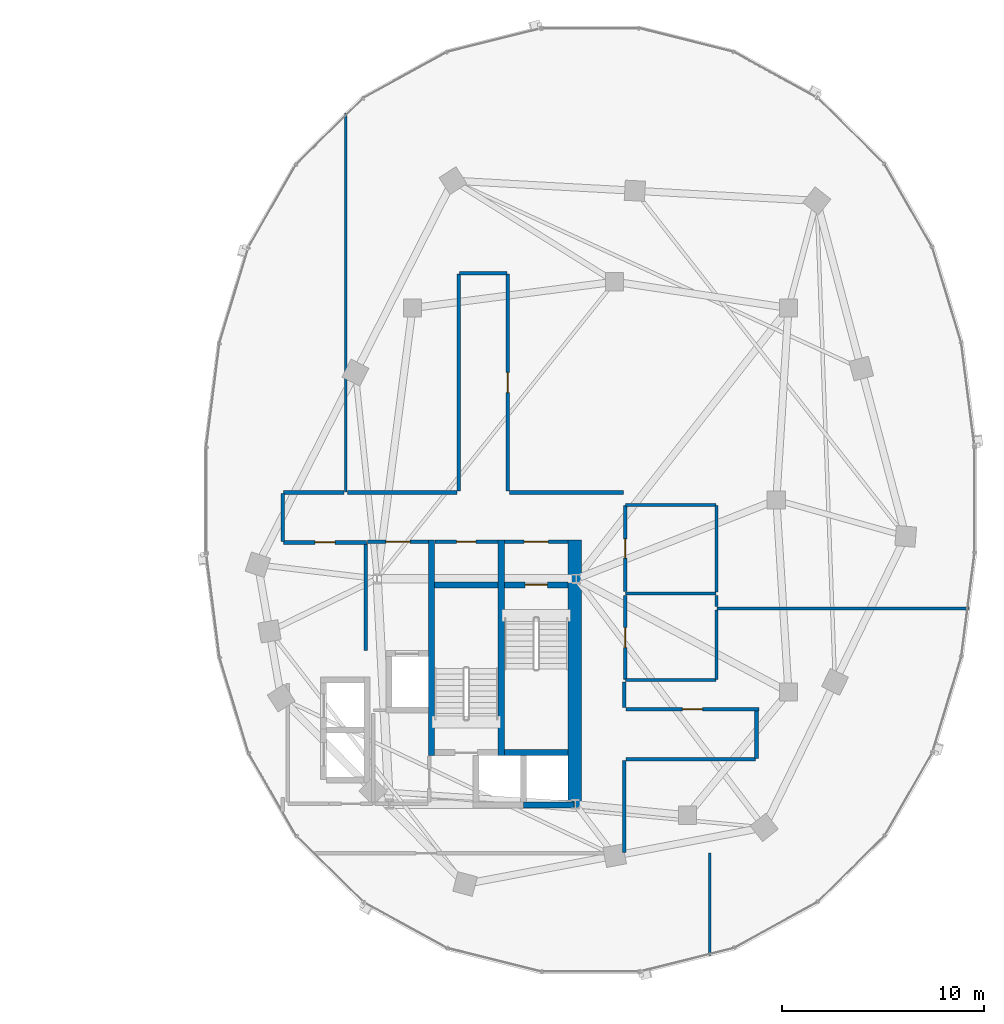
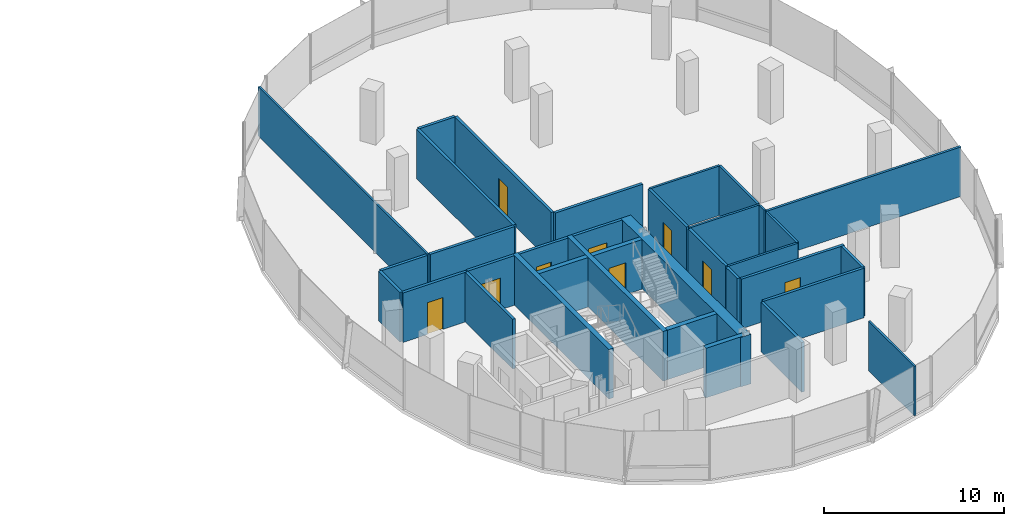
# One storey, part 14 of 22: 35 walls, 9 doors, 9 openings.
"""IFC4 building model written with IfcOpenShell, lengths in metres."""

import ifcopenshell
import ifcopenshell.guid

model = None  # the IFC model being written
_history = None  # IfcOwnerHistory: only IFC2X3 demands one
_inside = {}  # id of a spatial element -> (the spatial element, [elements in it])
_under = {}  # id of a project, library or spatial element -> (it, [spatial elements below it])
_declared = {}  # id of a project -> (the project, [libraries it declares])
_typed = {}  # id of a type object -> (the type object, [elements of that type])
_made_of = {}  # id of a material, layer set ... -> (it, [elements and type objects made of it])


def new_model(schema):
    """Start an empty IFC model of exactly this schema.

    Asked for "IFC4X3", IfcOpenShell would pick the latest addendum, in which some entities
    have other attributes; the version numbers below select the first issue.
    IFC2X3 requires an IfcOwnerHistory on every rooted entity: one is made here for all.
    """
    global model, _history
    if schema == "IFC4X3":
        model = ifcopenshell.file(schema_version=(4, 3, 0, 0))
    else:
        model = ifcopenshell.file(schema=schema)
    _inside.clear()
    _under.clear()
    _declared.clear()
    _typed.clear()
    _made_of.clear()
    _history = None
    if model.schema == "IFC2X3":
        org = make("IfcOrganization", Name="unknown")
        user = make(
            "IfcPersonAndOrganization",
            ThePerson=make("IfcPerson", FamilyName="unknown"),
            TheOrganization=org,
        )
        app = make(
            "IfcApplication",
            ApplicationDeveloper=org,
            Version="unknown",
            ApplicationFullName="unknown",
            ApplicationIdentifier="unknown",
        )
        _history = make(
            "IfcOwnerHistory",
            OwningUser=user,
            OwningApplication=app,
            ChangeAction="ADDED",
            CreationDate=0,
        )
    return model


def make(cls, **values):
    """One entity of the class cls with the attributes given. An attribute that is None is left unset."""
    return model.create_entity(
        cls, **{name: value for name, value in values.items() if value is not None}
    )


def rooted(cls, **values):
    """An entity with a GlobalId (a new one), such as an element, a storey or a relation."""
    return make(cls, GlobalId=ifcopenshell.guid.new(), OwnerHistory=_history, **values)


def si_unit(unit_type, name, prefix=None):
    """IfcSIUnit, for example si_unit("LENGTHUNIT", "METRE", prefix="MILLI")."""
    return make("IfcSIUnit", UnitType=unit_type, Prefix=prefix, Name=name)


def assignment(units):
    """IfcUnitAssignment: the units of a project."""
    return None if units is None else make("IfcUnitAssignment", Units=units)


def point(xyz):
    """IfcCartesianPoint."""
    return None if xyz is None else make("IfcCartesianPoint", Coordinates=xyz)


def direction(xyz):
    """IfcDirection."""
    return None if xyz is None else make("IfcDirection", DirectionRatios=xyz)


def frame(location, z_axis=None, x_axis=None):
    """IfcAxis2Placement3D, a coordinate frame: its origin and axes. An axis left out is left unset."""
    return make(
        "IfcAxis2Placement3D",
        Location=point(location),
        Axis=direction(z_axis),
        RefDirection=direction(x_axis),
    )


def frame_2d(location, x_axis=None):
    """IfcAxis2Placement2D, a coordinate frame in the plane: its origin and x axis."""
    return make(
        "IfcAxis2Placement2D", Location=point(location), RefDirection=direction(x_axis)
    )


def origin():
    """The frame at (0, 0, 0) with its axes left unset."""
    return frame((0.0, 0.0, 0.0))


def place(relative_to, where):
    """IfcLocalPlacement: puts the frame where relative to a parent placement (None: the world)."""
    return make(
        "IfcLocalPlacement", PlacementRelTo=relative_to, RelativePlacement=where
    )


def context(
    kind, dimensions, precision=None, world=None, true_north=None, identifier=None
):
    """IfcGeometricRepresentationContext, for example the 3D "Model" context."""
    return make(
        "IfcGeometricRepresentationContext",
        ContextIdentifier=identifier,
        ContextType=kind,
        CoordinateSpaceDimension=dimensions,
        Precision=precision,
        WorldCoordinateSystem=world,
        TrueNorth=true_north,
    )


def subcontext(parent, identifier, kind, view, scale=None):
    """IfcGeometricRepresentationSubContext, for example "Body" below "Model"."""
    return make(
        "IfcGeometricRepresentationSubContext",
        ContextIdentifier=identifier,
        ContextType=kind,
        ParentContext=parent,
        TargetScale=scale,
        TargetView=view,
    )


def project(units=None, contexts=None):
    """IfcProject with its units and contexts."""
    return rooted(
        "IfcProject",
        Name="project",
        RepresentationContexts=contexts,
        UnitsInContext=assignment(units),
    )


def spatial(cls, under=None, at=None, **own):
    """A site, building, storey or space (cls), placed at a placement, below another one or the project."""
    s = rooted(cls, ObjectPlacement=at, **own)
    if under is not None:
        _under.setdefault(under.id(), (under, []))[1].append(s)
    return s


def profile(cls, at=None, kind="AREA", **sizes):
    """A parametric profile (cls). Its sizes go by their IFC names, for example OverallWidth=200.0."""
    return make(cls, ProfileType=kind, Position=at, **sizes)


def rectangle(**sizes):
    """IfcRectangleProfileDef."""
    return profile("IfcRectangleProfileDef", **sizes)


def extrude(swept, where, along, depth):
    """IfcExtrudedAreaSolid: the profile swept, set in the frame where, extruded along a direction by depth."""
    return make(
        "IfcExtrudedAreaSolid",
        SweptArea=swept,
        Position=where,
        ExtrudedDirection=direction(along),
        Depth=depth,
    )


def shape(context_of_items, identifier, shape_type, items):
    """IfcShapeRepresentation: the items that make up one representation, for example the "Body"."""
    return make(
        "IfcShapeRepresentation",
        ContextOfItems=context_of_items,
        RepresentationIdentifier=identifier,
        RepresentationType=shape_type,
        Items=items,
    )


def material(Name=None, Category=None):
    """IfcMaterial."""
    return make("IfcMaterial", Name=Name, Category=Category)


def layer(
    of_material, thickness, ventilated=None, Name=None, Category=None, Priority=None
):
    """IfcMaterialLayer: one layer of a wall or slab, of a material (None: an air gap)."""
    return make(
        "IfcMaterialLayer",
        Material=of_material,
        LayerThickness=thickness,
        IsVentilated=ventilated,
        Name=Name,
        Category=Category,
        Priority=Priority,
    )


def layer_set(layers, Name=None):
    """IfcMaterialLayerSet."""
    return make("IfcMaterialLayerSet", MaterialLayers=layers, LayerSetName=Name)


def made_of(thing, what):
    """Note that an element or type object is made of a material, layer set ...; save() writes the relation."""
    if what is not None:
        _made_of.setdefault(what.id(), (what, []))[1].append(thing)
    return thing


def type_object(cls, material=None, **own):
    """A type object (cls), such as IfcWallType, which elements share."""
    return made_of(rooted(cls, **own), material)


def element(
    cls,
    number,
    at=None,
    inside=None,
    cuts=None,
    type_object=None,
    material=None,
    context=None,
    identifier="Body",
    shape_type=None,
    held_by="IfcProductDefinitionShape",
    body=None,
    shapes=None,
    **own,
):
    """One element of the class cls, such as IfcWall. Its Tag is "e" and its number.

    at: its placement. inside: the storey or other place that contains it. cuts: it is an
    opening in that element (IfcRelVoidsElement). A single representation is given by context,
    identifier, shape_type and body (its items); several are given by shapes. held_by: the class
    of the entity that holds the representations. save() writes the other relations.
    """
    e = rooted(cls, Tag="e%d" % number, ObjectPlacement=at, **own)
    if body is not None:
        shapes = [shape(context, identifier, shape_type, body)]
    if shapes is not None:
        e.Representation = make(held_by, Representations=shapes)
    if inside is not None:
        _inside.setdefault(inside.id(), (inside, []))[1].append(e)
    if cuts is not None:
        rooted(
            "IfcRelVoidsElement", RelatingBuildingElement=cuts, RelatedOpeningElement=e
        )
    if type_object is not None:
        _typed.setdefault(type_object.id(), (type_object, []))[1].append(e)
    return made_of(e, material)


def fill(opening, filler):
    """IfcRelFillsElement: the door or window that sits in an opening."""
    return rooted(
        "IfcRelFillsElement",
        RelatingOpeningElement=opening,
        RelatedBuildingElement=filler,
    )


def aggregate(whole, parts):
    """IfcRelAggregates: a whole, such as a stair, and the parts it consists of."""
    return rooted("IfcRelAggregates", RelatingObject=whole, RelatedObjects=parts)


def save(model, path):
    """Write the relations noted so far, then the file.

    IfcRelAggregates (storeys below a building ...), IfcRelContainedInSpatialStructure (elements
    in a storey), IfcRelDefinesByType, IfcRelAssociatesMaterial and IfcRelDeclares: one each for
    every whole, place, type object, material and project.
    """
    for whole, parts in _under.values():
        aggregate(whole, parts)
    for where, things in _inside.values():
        rooted(
            "IfcRelContainedInSpatialStructure",
            RelatedElements=things,
            RelatingStructure=where,
        )
    for kind, things in _typed.values():
        rooted("IfcRelDefinesByType", RelatedObjects=things, RelatingType=kind)
    for what, things in _made_of.values():
        rooted("IfcRelAssociatesMaterial", RelatedObjects=things, RelatingMaterial=what)
    for by, libraries in _declared.values():
        rooted("IfcRelDeclares", RelatingContext=by, RelatedDefinitions=libraries)
    model.write(path)


model = new_model("IFC4")

# Units and contexts
model_context = context("Model", 3, precision=1e-05, world=origin(), true_north=direction((0.0, 1.0)))
body_context = subcontext(model_context, "Body", "Model", "MODEL_VIEW")
ifc_project = project(units=[si_unit("LENGTHUNIT", "METRE"), si_unit("AREAUNIT", "SQUARE_METRE"), si_unit("VOLUMEUNIT", "CUBIC_METRE"), si_unit("PLANEANGLEUNIT", "RADIAN"), si_unit("MASSUNIT", "GRAM", prefix="KILO"), si_unit("THERMODYNAMICTEMPERATUREUNIT", "KELVIN"), si_unit("POWERUNIT", "WATT")], contexts=[model_context])

# Site, building, storey
site_placement = place(None, origin())
site = spatial("IfcSite", under=ifc_project, at=site_placement, CompositionType="ELEMENT")
building_placement = place(site_placement, origin())
building = spatial("IfcBuilding", under=site, at=building_placement, Name="Cundina Bronze Exchange", CompositionType="ELEMENT")
storey_placement = place(building_placement, frame((0.0, 0.0, 144.0)))
storey = spatial("IfcBuildingStorey", under=building, at=storey_placement, Name="L37", CompositionType="ELEMENT", Elevation=144.0)

# Wall
ifc_material_1 = material(Name="Gypsum Fireboard Partition EI120")
ifc_layer_1 = layer(ifc_material_1, 0.179931640625, Name="Gypsum Fireboard Partition EI120")
ifc_layer_set_1 = layer_set([ifc_layer_1], Name="Gypsum Fireboard Partition EI120")
wall_type_1 = type_object("IfcWallType", Name="WL-COR-180", PredefinedType="PARTITIONING", material=ifc_layer_set_1)
wall_1_placement = place(storey_placement, frame((20.889892578125, -7.449951171875, 0.0), z_axis=(0.0, 0.0, 1.0), x_axis=(0.0, 1.0, 0.0)))
element("IfcWall", 1, at=wall_1_placement, inside=storey, type_object=wall_type_1, Name="L37 E Firefighting Lobby Side Wall", PredefinedType="PARTITIONING", context=body_context, shape_type="SweptSolid", body=[
    extrude(rectangle(XDim=5.300048828125, YDim=0.179931640625, at=frame_2d((2.64990234375, 0.0))), origin(), (0.0, 0.0, 1.0), 3.360107421875),
])

# Wall, opening, door
wall_2_placement = place(storey_placement, frame((20.97998046875, -2.06005859375, 0.0), z_axis=(0.0, 0.0, 1.0), x_axis=(1.0, 0.0, 0.0)))
wall_2 = element("IfcWall", 2, at=wall_2_placement, inside=storey, type_object=wall_type_1, Name="L37 E Firefighting Lobby Exit Wall", PredefinedType="PARTITIONING", context=body_context, shape_type="SweptSolid", body=[
    extrude(rectangle(XDim=3.0, YDim=0.179931640625, at=frame_2d((1.5, 0.0))), origin(), (0.0, 0.0, 1.0), 3.360107421875),
])
opening_1_placement = place(wall_2_placement, frame((0.89990234375, 0.0, 0.0)))
opening_1 = element("IfcOpeningElement", 3, at=opening_1_placement, cuts=wall_2, Name="Opening DF-01", PredefinedType="OPENING", context=body_context, shape_type="SweptSolid", body=[
    extrude(rectangle(XDim=1.199951171875, YDim=2.14990234375, at=frame_2d((0.60009765625, 1.074951171875))), frame((0.0, 0.099853515625, 0.0), z_axis=(0.0, -1.0, 0.0), x_axis=(1.0, 0.0, 0.0)), (0.0, 0.0, 1.0), 0.199951171875),
])
ifc_material_2 = material(Name="Steel ASTM A36 Painted", Category="steel")
door_type_1 = type_object("IfcDoorType", Name="DR-FFL-1200", OperationType="NOTDEFINED", PredefinedType="DOOR", material=ifc_material_2)
door_1_placement = place(opening_1_placement, origin())
door_1 = element("IfcDoor", 4, at=door_1_placement, inside=storey, type_object=door_type_1, Name="L37 E Firefighting Lobby Door", OperationType="SINGLE_SWING_LEFT", OverallHeight=2.14990234375, OverallWidth=1.199951171875, PredefinedType="DOOR", context=body_context, shape_type="SweptSolid", body=[
    extrude(rectangle(XDim=1.199951171875, YDim=2.14990234375, at=frame_2d((0.60009765625, 1.074951171875))), frame((0.0, 0.02490234375, 0.0), z_axis=(0.0, -1.0, 0.0), x_axis=(1.0, 0.0, 0.0)), (0.0, 0.0, 1.0), 0.050048828125),
])
fill(opening_1, door_1)

wall_3_placement = place(storey_placement, frame((27.739990234375, -2.06005859375, 0.0), z_axis=(0.0, 0.0, 1.0), x_axis=(1.0, 0.0, 0.0)))
wall_3 = element("IfcWall", 5, at=wall_3_placement, inside=storey, type_object=wall_type_1, Name="L37 E Stair Vestibule Exit Wall", PredefinedType="PARTITIONING", context=body_context, shape_type="SweptSolid", body=[
    extrude(rectangle(XDim=3.159912109375, YDim=0.179931640625, at=frame_2d((1.580078125, 0.0))), origin(), (0.0, 0.0, 1.0), 3.360107421875),
])
opening_2_placement = place(wall_3_placement, frame((0.97998046875, 0.0, 0.0)))
opening_2 = element("IfcOpeningElement", 6, at=opening_2_placement, cuts=wall_3, Name="Opening DF-01", PredefinedType="OPENING", context=body_context, shape_type="SweptSolid", body=[
    extrude(rectangle(XDim=1.199951171875, YDim=2.14990234375, at=frame_2d((0.60009765625, 1.074951171875))), frame((0.0, 0.099853515625, 0.0), z_axis=(0.0, -1.0, 0.0), x_axis=(1.0, 0.0, 0.0)), (0.0, 0.0, 1.0), 0.199951171875),
])
door_2_placement = place(opening_2_placement, origin())
door_2 = element("IfcDoor", 7, at=door_2_placement, inside=storey, type_object=door_type_1, Name="L37 E Stair Vestibule Door", OperationType="SINGLE_SWING_RIGHT", OverallHeight=2.14990234375, OverallWidth=1.199951171875, PredefinedType="DOOR", context=body_context, shape_type="SweptSolid", body=[
    extrude(rectangle(XDim=1.199951171875, YDim=2.14990234375, at=frame_2d((0.60009765625, 1.074951171875))), frame((0.0, 0.02490234375, 0.0), z_axis=(0.0, -1.0, 0.0), x_axis=(1.0, 0.0, 0.0)), (0.0, 0.0, 1.0), 0.050048828125),
])
fill(opening_2, door_2)

wall_4_placement = place(storey_placement, frame((24.300048828125, -2.070068359375, 0.0), z_axis=(0.0, 0.0, 1.0), x_axis=(1.0, 0.0, 0.0)))
wall_4 = element("IfcWall", 8, at=wall_4_placement, inside=storey, type_object=wall_type_1, Name="L37 Interior Partition 044", PredefinedType="PARTITIONING", context=body_context, shape_type="SweptSolid", body=[
    extrude(rectangle(XDim=3.119873046875, YDim=0.179931640625, at=frame_2d((1.56005859375, 0.0))), origin(), (0.0, 0.0, 1.0), 3.360107421875),
])
opening_3_placement = place(wall_4_placement, frame((1.0849609375, 0.0, 0.0)))
opening_3 = element("IfcOpeningElement", 9, at=opening_3_placement, cuts=wall_4, Name="Opening DW-01", PredefinedType="OPENING", context=body_context, shape_type="SweptSolid", body=[
    extrude(rectangle(XDim=0.949951171875, YDim=2.10009765625, at=frame_2d((0.47509765625, 1.050048828125))), frame((0.0, 0.099853515625, 0.0), z_axis=(0.0, -1.0, 0.0), x_axis=(1.0, 0.0, 0.0)), (0.0, 0.0, 1.0), 0.199951171875),
])
ifc_material_3 = material(Name="Solid Andean Oak Timber Grade A", Category="wood")
door_type_2 = type_object("IfcDoorType", Name="DR-WC-950", OperationType="NOTDEFINED", PredefinedType="DOOR", material=ifc_material_3)
door_3_placement = place(opening_3_placement, origin())
door_3 = element("IfcDoor", 10, at=door_3_placement, inside=storey, type_object=door_type_2, Name="L37 Interior Door 044", OperationType="SINGLE_SWING_LEFT", OverallHeight=2.10009765625, OverallWidth=0.949951171875, PredefinedType="DOOR", context=body_context, shape_type="SweptSolid", body=[
    extrude(rectangle(XDim=0.949951171875, YDim=2.10009765625, at=frame_2d((0.47509765625, 1.050048828125))), frame((0.0, 0.02490234375, 0.0), z_axis=(0.0, -1.0, 0.0), x_axis=(1.0, 0.0, 0.0)), (0.0, 0.0, 1.0), 0.050048828125),
])
fill(opening_3, door_3)

wall_5_placement = place(storey_placement, frame((33.719970703125, -4.530029296875, 0.0), z_axis=(0.0, 0.0, 1.0), x_axis=(0.0, 1.0, 0.0)))
wall_5 = element("IfcWall", 11, at=wall_5_placement, inside=storey, type_object=wall_type_1, Name="L37 Interior Partition 052", PredefinedType="PARTITIONING", context=body_context, shape_type="SweptSolid", body=[
    extrude(rectangle(XDim=4.260009765625, YDim=0.179931640625, at=frame_2d((2.1298828125, 0.0))), origin(), (0.0, 0.0, 1.0), 3.360107421875),
])
opening_4_placement = place(wall_5_placement, frame((1.655029296875, 0.0, 0.0)))
opening_4 = element("IfcOpeningElement", 12, at=opening_4_placement, cuts=wall_5, Name="Opening DW-01", PredefinedType="OPENING", context=body_context, shape_type="SweptSolid", body=[
    extrude(rectangle(XDim=0.949951171875, YDim=2.10009765625, at=frame_2d((0.47509765625, 1.050048828125))), frame((0.0, 0.099853515625, 0.0), z_axis=(0.0, -1.0, 0.0), x_axis=(1.0, 0.0, 0.0)), (0.0, 0.0, 1.0), 0.199951171875),
])
door_4_placement = place(opening_4_placement, origin())
door_4 = element("IfcDoor", 13, at=door_4_placement, inside=storey, type_object=door_type_2, Name="L37 Interior Door 052", OperationType="SINGLE_SWING_RIGHT", OverallHeight=2.10009765625, OverallWidth=0.949951171875, PredefinedType="DOOR", context=body_context, shape_type="SweptSolid", body=[
    extrude(rectangle(XDim=0.949951171875, YDim=2.10009765625, at=frame_2d((0.47509765625, 1.050048828125))), frame((0.0, 0.02490234375, 0.0), z_axis=(0.0, -1.0, 0.0), x_axis=(1.0, 0.0, 0.0)), (0.0, 0.0, 1.0), 0.050048828125),
])
fill(opening_4, door_4)

wall_6_placement = place(storey_placement, frame((33.719970703125, -8.889892578125, 0.0), z_axis=(0.0, 0.0, 1.0), x_axis=(0.0, 1.0, 0.0)))
wall_6 = element("IfcWall", 14, at=wall_6_placement, inside=storey, type_object=wall_type_1, Name="L37 Interior Partition 053", PredefinedType="PARTITIONING", context=body_context, shape_type="SweptSolid", body=[
    extrude(rectangle(XDim=4.159912109375, YDim=0.179931640625, at=frame_2d((2.080078125, 0.0))), origin(), (0.0, 0.0, 1.0), 3.360107421875),
])
opening_5_placement = place(wall_6_placement, frame((1.580078125, 0.0, 0.0)))
opening_5 = element("IfcOpeningElement", 15, at=opening_5_placement, cuts=wall_6, Name="Opening DO-01", PredefinedType="OPENING", context=body_context, shape_type="SweptSolid", body=[
    extrude(rectangle(XDim=1.0, YDim=2.14990234375, at=frame_2d((0.5, 1.074951171875))), frame((0.0, 0.099853515625, 0.0), z_axis=(0.0, -1.0, 0.0), x_axis=(1.0, 0.0, 0.0)), (0.0, 0.0, 1.0), 0.199951171875),
])
door_type_3 = type_object("IfcDoorType", Name="DR-OFF-1000", OperationType="NOTDEFINED", PredefinedType="DOOR", material=ifc_material_3)
door_5_placement = place(opening_5_placement, origin())
door_5 = element("IfcDoor", 16, at=door_5_placement, inside=storey, type_object=door_type_3, Name="L37 Interior Door 053", OperationType="SINGLE_SWING_RIGHT", OverallHeight=2.14990234375, OverallWidth=1.0, PredefinedType="DOOR", context=body_context, shape_type="SweptSolid", body=[
    extrude(rectangle(XDim=1.0, YDim=2.14990234375, at=frame_2d((0.5, 1.074951171875))), frame((0.0, 0.02490234375, 0.0), z_axis=(0.0, -1.0, 0.0), x_axis=(1.0, 0.0, 0.0)), (0.0, 0.0, 1.0), 0.050048828125),
])
fill(opening_5, door_5)

# Walls
wall_7_placement = place(storey_placement, frame((33.75, -12.820068359375, 0.0), z_axis=(0.0, 0.0, 1.0), x_axis=(1.0, 0.0, 0.0)))
element("IfcWall", 17, at=wall_7_placement, inside=storey, type_object=wall_type_1, Name="L37 Interior Partition 058", PredefinedType="PARTITIONING", context=body_context, shape_type="SweptSolid", body=[
    extrude(rectangle(XDim=6.428466796875, YDim=0.179931640625, at=frame_2d((3.21435546875, 0.0))), origin(), (0.0, 0.0, 1.0), 3.360107421875),
])
wall_8_placement = place(storey_placement, frame((33.669921875, -17.428466796875, 0.0), z_axis=(0.0, 0.0, 1.0), x_axis=(0.0, 1.0, 0.0)))
element("IfcWall", 18, at=wall_8_placement, inside=storey, type_object=wall_type_1, Name="L37 Interior Partition 059", PredefinedType="PARTITIONING", context=body_context, shape_type="SweptSolid", body=[
    extrude(rectangle(XDim=4.528564453125, YDim=0.179931640625, at=frame_2d((2.26416015625, 0.0))), origin(), (0.0, 0.0, 1.0), 3.360107421875),
])
wall_9_placement = place(storey_placement, frame((40.219970703125, -12.778564453125, 0.0), z_axis=(0.0, 0.0, 1.0), x_axis=(0.0, 1.0, 0.0)))
element("IfcWall", 19, at=wall_9_placement, inside=storey, type_object=wall_type_1, Name="L37 Interior Partition 060", PredefinedType="PARTITIONING", context=body_context, shape_type="SweptSolid", body=[
    extrude(rectangle(XDim=2.32861328125, YDim=0.179931640625, at=frame_2d((1.164306640625, 0.0))), origin(), (0.0, 0.0, 1.0), 3.360107421875),
])

# Wall, opening, door
wall_10_placement = place(storey_placement, frame((40.352783203125, -10.35009765625, 0.0), z_axis=(0.0, 0.0, 1.0), x_axis=(-1.0, 0.0, 0.0)))
wall_10 = element("IfcWall", 20, at=wall_10_placement, inside=storey, type_object=wall_type_1, Name="L37 Interior Partition 061", PredefinedType="PARTITIONING", context=body_context, shape_type="SweptSolid", body=[
    extrude(rectangle(XDim=6.602783203125, YDim=0.179931640625, at=frame_2d((3.30126953125, 0.0))), origin(), (0.0, 0.0, 1.0), 3.360107421875),
])
opening_6_placement = place(wall_10_placement, frame((2.801513671875, 0.0, 0.0)))
opening_6 = element("IfcOpeningElement", 21, at=opening_6_placement, cuts=wall_10, Name="Opening DO-01", PredefinedType="OPENING", context=body_context, shape_type="SweptSolid", body=[
    extrude(rectangle(XDim=1.0, YDim=2.14990234375, at=frame_2d((0.5, 1.074951171875))), frame((0.0, 0.099853515625, 0.0), z_axis=(0.0, -1.0, 0.0), x_axis=(1.0, 0.0, 0.0)), (0.0, 0.0, 1.0), 0.199951171875),
])
door_6_placement = place(opening_6_placement, origin())
door_6 = element("IfcDoor", 22, at=door_6_placement, inside=storey, type_object=door_type_3, Name="L37 Interior Door 061", OperationType="SINGLE_SWING_RIGHT", OverallHeight=2.14990234375, OverallWidth=1.0, PredefinedType="DOOR", context=body_context, shape_type="SweptSolid", body=[
    extrude(rectangle(XDim=1.0, YDim=2.14990234375, at=frame_2d((0.5, 1.074951171875))), frame((0.0, 0.02490234375, 0.0), z_axis=(0.0, -1.0, 0.0), x_axis=(1.0, 0.0, 0.0)), (0.0, 0.0, 1.0), 0.050048828125),
])
fill(opening_6, door_6)

# Wall
wall_11_placement = place(storey_placement, frame((33.669921875, -10.27001953125, 0.0), z_axis=(0.0, 0.0, 1.0), x_axis=(0.0, 1.0, 0.0)))
element("IfcWall", 23, at=wall_11_placement, inside=storey, type_object=wall_type_1, Name="L37 Interior Partition 062", PredefinedType="PARTITIONING", context=body_context, shape_type="SweptSolid", body=[
    extrude(rectangle(XDim=1.2685546875, YDim=0.179931640625, at=frame_2d((0.63427734375, 0.0))), origin(), (0.0, 0.0, 1.0), 3.360107421875),
])

# Wall, opening, door
wall_12_placement = place(storey_placement, frame((16.821533203125, -2.10009765625, 0.0), z_axis=(0.0, 0.0, 1.0), x_axis=(1.0, 0.0, 0.0)))
wall_12 = element("IfcWall", 24, at=wall_12_placement, inside=storey, type_object=wall_type_1, Name="L37 Interior Partition 063", PredefinedType="PARTITIONING", context=body_context, shape_type="SweptSolid", body=[
    extrude(rectangle(XDim=4.098388671875, YDim=0.179931640625, at=frame_2d((2.04931640625, 0.0))), origin(), (0.0, 0.0, 1.0), 3.360107421875),
])
opening_7_placement = place(wall_12_placement, frame((1.54931640625, 0.0, 0.0)))
opening_7 = element("IfcOpeningElement", 25, at=opening_7_placement, cuts=wall_12, Name="Opening DO-01", PredefinedType="OPENING", context=body_context, shape_type="SweptSolid", body=[
    extrude(rectangle(XDim=1.0, YDim=2.14990234375, at=frame_2d((0.5, 1.074951171875))), frame((0.0, 0.099853515625, 0.0), z_axis=(0.0, -1.0, 0.0), x_axis=(1.0, 0.0, 0.0)), (0.0, 0.0, 1.0), 0.199951171875),
])
door_7_placement = place(opening_7_placement, origin())
door_7 = element("IfcDoor", 26, at=door_7_placement, inside=storey, type_object=door_type_3, Name="L37 Interior Door 063", OperationType="SINGLE_SWING_LEFT", OverallHeight=2.14990234375, OverallWidth=1.0, PredefinedType="DOOR", context=body_context, shape_type="SweptSolid", body=[
    extrude(rectangle(XDim=1.0, YDim=2.14990234375, at=frame_2d((0.5, 1.074951171875))), frame((0.0, 0.02490234375, 0.0), z_axis=(0.0, -1.0, 0.0), x_axis=(1.0, 0.0, 0.0)), (0.0, 0.0, 1.0), 0.050048828125),
])
fill(opening_7, door_7)

# Walls
wall_13_placement = place(storey_placement, frame((19.81005859375, 0.3701171875, 0.0), z_axis=(0.0, 0.0, 1.0), x_axis=(-1.0, 0.0, 0.0)))
element("IfcWall", 27, at=wall_13_placement, inside=storey, type_object=wall_type_1, Name="L37 Interior Partition 064", PredefinedType="PARTITIONING", context=body_context, shape_type="SweptSolid", body=[
    extrude(rectangle(XDim=2.988525390625, YDim=0.179931640625, at=frame_2d((1.494140625, 0.0))), origin(), (0.0, 0.0, 1.0), 3.360107421875),
])
wall_14_placement = place(storey_placement, frame((16.780029296875, 0.32861328125, 0.0), z_axis=(0.0, 0.0, 1.0), x_axis=(0.0, -1.0, 0.0)))
element("IfcWall", 28, at=wall_14_placement, inside=storey, type_object=wall_type_1, Name="L37 Interior Partition 065", PredefinedType="PARTITIONING", context=body_context, shape_type="SweptSolid", body=[
    extrude(rectangle(XDim=2.38720703125, YDim=0.179931640625, at=frame_2d((1.193603515625, 0.0))), origin(), (0.0, 0.0, 1.0), 3.360107421875),
])

# Wall, opening, door
wall_15_placement = place(storey_placement, frame((27.919921875, 0.449951171875, 0.0), z_axis=(0.0, 0.0, 1.0), x_axis=(0.0, 1.0, 0.0)))
wall_15 = element("IfcWall", 29, at=wall_15_placement, inside=storey, type_object=wall_type_1, Name="L37 Interior Partition 067", PredefinedType="PARTITIONING", context=body_context, shape_type="SweptSolid", body=[
    extrude(rectangle(XDim=10.728515625, YDim=0.179931640625, at=frame_2d((5.3642578125, 0.0))), origin(), (0.0, 0.0, 1.0), 3.360107421875),
])
opening_8_placement = place(wall_15_placement, frame((4.8642578125, 0.0, 0.0)))
opening_8 = element("IfcOpeningElement", 30, at=opening_8_placement, cuts=wall_15, Name="Opening DO-01", PredefinedType="OPENING", context=body_context, shape_type="SweptSolid", body=[
    extrude(rectangle(XDim=1.0, YDim=2.14990234375, at=frame_2d((0.5, 1.074951171875))), frame((0.0, 0.099853515625, 0.0), z_axis=(0.0, -1.0, 0.0), x_axis=(1.0, 0.0, 0.0)), (0.0, 0.0, 1.0), 0.199951171875),
])
door_8_placement = place(opening_8_placement, origin())
door_8 = element("IfcDoor", 31, at=door_8_placement, inside=storey, type_object=door_type_3, Name="L37 Interior Door 067", OperationType="SINGLE_SWING_LEFT", OverallHeight=2.14990234375, OverallWidth=1.0, PredefinedType="DOOR", context=body_context, shape_type="SweptSolid", body=[
    extrude(rectangle(XDim=1.0, YDim=2.14990234375, at=frame_2d((0.5, 1.074951171875))), frame((0.0, 0.02490234375, 0.0), z_axis=(0.0, -1.0, 0.0), x_axis=(1.0, 0.0, 0.0)), (0.0, 0.0, 1.0), 0.050048828125),
])
fill(opening_8, door_8)

# Walls
wall_16_placement = place(storey_placement, frame((25.47998046875, 11.178466796875, 0.0), z_axis=(0.0, 0.0, 1.0), x_axis=(0.0, -1.0, 0.0)))
element("IfcWall", 32, at=wall_16_placement, inside=storey, type_object=wall_type_1, Name="L37 Interior Partition 068", PredefinedType="PARTITIONING", context=body_context, shape_type="SweptSolid", body=[
    extrude(rectangle(XDim=10.728515625, YDim=0.179931640625, at=frame_2d((5.3642578125, 0.0))), origin(), (0.0, 0.0, 1.0), 3.360107421875),
])
wall_17_placement = place(storey_placement, frame((33.62841796875, 0.3701171875, 0.0), z_axis=(0.0, 0.0, 1.0), x_axis=(-1.0, 0.0, 0.0)))
element("IfcWall", 33, at=wall_17_placement, inside=storey, type_object=wall_type_1, Name="L37 Interior Partition 069", PredefinedType="PARTITIONING", context=body_context, shape_type="SweptSolid", body=[
    extrude(rectangle(XDim=5.62841796875, YDim=0.179931640625, at=frame_2d((2.814208984375, 0.0))), origin(), (0.0, 0.0, 1.0), 3.360107421875),
])
wall_18_placement = place(storey_placement, frame((25.39990234375, 0.3701171875, 0.0), z_axis=(0.0, 0.0, 1.0), x_axis=(-1.0, 0.0, 0.0)))
element("IfcWall", 34, at=wall_18_placement, inside=storey, type_object=wall_type_1, Name="L37 Interior Partition 070", PredefinedType="PARTITIONING", context=body_context, shape_type="SweptSolid", body=[
    extrude(rectangle(XDim=5.409912109375, YDim=0.179931640625, at=frame_2d((2.705078125, 0.0))), origin(), (0.0, 0.0, 1.0), 3.360107421875),
])
wall_19_placement = place(storey_placement, frame((27.87841796875, 11.219970703125, 0.0), z_axis=(0.0, 0.0, 1.0), x_axis=(-1.0, 0.0, 0.0)))
element("IfcWall", 35, at=wall_19_placement, inside=storey, type_object=wall_type_1, Name="L37 Interior Partition 071", PredefinedType="PARTITIONING", context=body_context, shape_type="SweptSolid", body=[
    extrude(rectangle(XDim=2.35693359375, YDim=0.179931640625, at=frame_2d((1.178466796875, 0.0))), origin(), (0.0, 0.0, 1.0), 3.360107421875),
])
ifc_material_4 = material(Name="Concrete C50/60", Category="concrete")
ifc_layer_2 = layer(ifc_material_4, 0.64990234375, Name="Concrete C50/60", Category="concrete")
ifc_layer_set_2 = layer_set([ifc_layer_2], Name="Concrete C50/60")
wall_type_2 = type_object("IfcWallType", Name="WL-CORE-650", PredefinedType="SHEAR", material=ifc_layer_set_2)
wall_20_placement = place(storey_placement, frame((31.22509765625, -15.300048828125, 0.0), z_axis=(0.0, 0.0, 1.0), x_axis=(0.0, 1.0, 0.0)))
element("IfcWall", 36, at=wall_20_placement, inside=storey, type_object=wall_type_2, Name="L37 E Primary Core Shear Spine Wall", PredefinedType="SHEAR", context=body_context, shape_type="SweptSolid", body=[
    extrude(rectangle(XDim=13.330078125, YDim=0.64990234375, at=frame_2d((6.6650390625, 0.0))), origin(), (0.0, 0.0, 1.0), 3.360107421875),
])
ifc_material_5 = material(Name="Gypsum Acoustic Partition EI60")
ifc_layer_3 = layer(ifc_material_5, 0.125, Name="Gypsum Acoustic Partition EI60")
ifc_layer_set_3 = layer_set([ifc_layer_3], Name="Gypsum Acoustic Partition EI60")
wall_type_3 = type_object("IfcWallType", Name="WL-OFF-125", PredefinedType="PARTITIONING", material=ifc_layer_set_3)
wall_21_placement = place(storey_placement, frame((19.89990234375, 0.39990234375, 0.0), z_axis=(0.0, 0.0, 1.0), x_axis=(0.0, 1.0, 0.0)))
element("IfcWall", 37, at=wall_21_placement, inside=storey, type_object=wall_type_3, Name="L37 Interior Partition 054", PredefinedType="PARTITIONING", context=body_context, shape_type="SweptSolid", body=[
    extrude(rectangle(XDim=18.73681640625, YDim=0.125, at=frame_2d((9.368408203125, 0.0))), origin(), (0.0, 0.0, 1.0), 3.360107421875),
])
wall_22_placement = place(storey_placement, frame((37.89990234375, -22.5361328125, 0.0), z_axis=(0.0, 0.0, 1.0), x_axis=(0.0, 1.0, 0.0)))
element("IfcWall", 38, at=wall_22_placement, inside=storey, type_object=wall_type_3, Name="L37 Interior Partition 056", PredefinedType="PARTITIONING", context=body_context, shape_type="SweptSolid", body=[
    extrude(rectangle(XDim=5.066162109375, YDim=0.125, at=frame_2d((2.533203125, 0.0))), origin(), (0.0, 0.0, 1.0), 3.360107421875),
])
ifc_layer_4 = layer(ifc_material_4, 0.300048828125, Name="Concrete C50/60", Category="concrete")
ifc_layer_set_4 = layer_set([ifc_layer_4], Name="Concrete C50/60")
wall_type_4 = type_object("IfcWallType", Name="WL-SHFT-300", PredefinedType="SHEAR", material=ifc_layer_set_4)
for number, where, z_axis, x_axis, name in (
    (39, (27.590087890625, -12.64990234375, 0.0), (0.0, 0.0, 1.0), (0.0, 1.0, 0.0), "L37 E Stair Shaft Dividing Shear Wall"),
    (40, (24.1298828125, -12.64990234375, 0.0), (0.0, 0.0, 1.0), (0.0, 1.0, 0.0), "L37 E Stair 2 East Shear Wall"),
):
    element("IfcWall", number, at=place(storey_placement, frame(where, z_axis=z_axis, x_axis=x_axis)), inside=storey, type_object=wall_type_4, Name=name, PredefinedType="SHEAR", context=body_context, shape_type="SweptSolid", body=[
        extrude(rectangle(XDim=10.679931640625, YDim=0.300048828125, at=frame_2d((5.33984375, 0.0))), origin(), (0.0, 0.0, 1.0), 3.360107421875),
    ])

# Wall, opening, door
wall_23_placement = place(storey_placement, frame((27.739990234375, -4.199951171875, 0.0), z_axis=(0.0, 0.0, 1.0), x_axis=(1.0, 0.0, 0.0)))
wall_23 = element("IfcWall", 41, at=wall_23_placement, inside=storey, type_object=wall_type_4, Name="L37 Stair E1 Landing Wall", PredefinedType="SHEAR", context=body_context, shape_type="SweptSolid", body=[
    extrude(rectangle(XDim=3.159912109375, YDim=0.300048828125, at=frame_2d((1.580078125, 0.0))), origin(), (0.0, 0.0, 1.0), 3.360107421875),
])
opening_9_placement = place(wall_23_placement, frame((1.030029296875, 0.0, 0.0)))
opening_9 = element("IfcOpeningElement", 42, at=opening_9_placement, cuts=wall_23, Name="Opening DS-01", PredefinedType="OPENING", context=body_context, shape_type="SweptSolid", body=[
    extrude(rectangle(XDim=1.10009765625, YDim=2.14990234375, at=frame_2d((0.550048828125, 1.074951171875))), frame((0.0, 0.159912109375, 0.0), z_axis=(0.0, -1.0, 0.0), x_axis=(1.0, 0.0, 0.0)), (0.0, 0.0, 1.0), 0.320068359375),
])
door_type_4 = type_object("IfcDoorType", Name="DR-STR-1100", OperationType="NOTDEFINED", PredefinedType="DOOR", material=ifc_material_2)
door_9_placement = place(opening_9_placement, origin())
door_9 = element("IfcDoor", 43, at=door_9_placement, inside=storey, type_object=door_type_4, Name="L37 Smokeproof Stair E1 Door", OperationType="SINGLE_SWING_LEFT", OverallHeight=2.14990234375, OverallWidth=1.10009765625, PredefinedType="DOOR", context=body_context, shape_type="SweptSolid", body=[
    extrude(rectangle(XDim=1.10009765625, YDim=2.14990234375, at=frame_2d((0.550048828125, 1.074951171875))), frame((0.0, 0.02490234375, 0.0), z_axis=(0.0, -1.0, 0.0), x_axis=(1.0, 0.0, 0.0)), (0.0, 0.0, 1.0), 0.050048828125),
])
fill(opening_9, door_9)

# Walls
for number, where, z_axis, x_axis, name in (
    (44, (27.739990234375, -12.5, 0.0), (0.0, 0.0, 1.0), (1.0, 0.0, 0.0), "L37 Stair E1 Far Shaft Wall"),
    (45, (24.280029296875, -4.199951171875, 0.0), (0.0, 0.0, 1.0), (1.0, 0.0, 0.0), "L37 Stair E2 Far Shaft Wall"),
):
    element("IfcWall", number, at=place(storey_placement, frame(where, z_axis=z_axis, x_axis=x_axis)), inside=storey, type_object=wall_type_4, Name=name, PredefinedType="SHEAR", context=body_context, shape_type="SweptSolid", body=[
        extrude(rectangle(XDim=3.159912109375, YDim=0.300048828125, at=frame_2d((1.580078125, 0.0))), origin(), (0.0, 0.0, 1.0), 3.360107421875),
    ])
wall_24_placement = place(storey_placement, frame((28.699951171875, -15.10009765625, 0.0), z_axis=(0.0, 0.0, 1.0), x_axis=(1.0, 0.0, 0.0)))
element("IfcWall", 46, at=wall_24_placement, inside=storey, type_object=wall_type_4, Name="L37 PH-E1 Hoistway Front Wall", PredefinedType="SHEAR", context=body_context, shape_type="SweptSolid", body=[
    extrude(rectangle(XDim=2.5, YDim=0.300048828125, at=frame_2d((1.25, 0.0))), origin(), (0.0, 0.0, 1.0), 3.360107421875),
])
ifc_layer_5 = layer(ifc_material_5, 0.14990234375, Name="Gypsum Acoustic Partition EI60")
ifc_layer_set_5 = layer_set([ifc_layer_5], Name="Gypsum Acoustic Partition EI60")
wall_type_5 = type_object("IfcWallType", Name="WL-TEN-150", PredefinedType="PARTITIONING", material=ifc_layer_set_5)
wall_25_placement = place(storey_placement, frame((38.27001953125, -5.360107421875, 0.0), z_axis=(0.0, 0.0, 1.0), x_axis=(1.0, 0.0, 0.0)))
element("IfcWall", 47, at=wall_25_placement, inside=storey, type_object=wall_type_5, Name="L37 Interior Partition 055", PredefinedType="PARTITIONING", context=body_context, shape_type="SweptSolid", body=[
    extrude(rectangle(XDim=12.455078125, YDim=0.14990234375, at=frame_2d((6.2275390625, 0.0))), origin(), (0.0, 0.0, 1.0), 3.360107421875),
])
ifc_material_6 = material(Name="Moisture-Resistant Masonry Block Grade M15", Category="masonry")
ifc_layer_6 = layer(ifc_material_6, 0.139892578125, Name="Moisture-Resistant Masonry Block Grade M15", Category="masonry")
ifc_layer_set_6 = layer_set([ifc_layer_6], Name="Moisture-Resistant Masonry Block Grade M15")
wall_type_6 = type_object("IfcWallType", Name="WL-WET-140", PredefinedType="PARTITIONING", material=ifc_layer_set_6)
wall_26_placement = place(storey_placement, frame((38.239990234375, -8.889892578125, 0.0), z_axis=(0.0, 0.0, 1.0), x_axis=(0.0, 1.0, 0.0)))
element("IfcWall", 48, at=wall_26_placement, inside=storey, type_object=wall_type_6, Name="L37 Interior Partition 046", PredefinedType="PARTITIONING", context=body_context, shape_type="SweptSolid", body=[
    extrude(rectangle(XDim=3.44482421875, YDim=0.139892578125, at=frame_2d((1.722412109375, 0.0))), origin(), (0.0, 0.0, 1.0), 3.360107421875),
])
wall_27_placement = place(storey_placement, frame((38.239990234375, -5.27490234375, 0.0), z_axis=(0.0, 0.0, 1.0), x_axis=(0.0, 1.0, 0.0)))
element("IfcWall", 49, at=wall_27_placement, inside=storey, type_object=wall_type_6, Name="L37 Interior Partition 047", PredefinedType="PARTITIONING", context=body_context, shape_type="SweptSolid", body=[
    extrude(rectangle(XDim=0.559814453125, YDim=0.139892578125, at=frame_2d((0.27978515625, 0.0))), origin(), (0.0, 0.0, 1.0), 3.360107421875),
])
wall_28_placement = place(storey_placement, frame((38.239990234375, -4.544921875, 0.0), z_axis=(0.0, 0.0, 1.0), x_axis=(0.0, 1.0, 0.0)))
element("IfcWall", 50, at=wall_28_placement, inside=storey, type_object=wall_type_6, Name="L37 Interior Partition 048", PredefinedType="PARTITIONING", context=body_context, shape_type="SweptSolid", body=[
    extrude(rectangle(XDim=4.27490234375, YDim=0.139892578125, at=frame_2d((2.137451171875, 0.0))), origin(), (0.0, 0.0, 1.0), 3.360107421875),
])
for number, where, z_axis, x_axis, name in (
    (51, (33.739990234375, -0.25, 0.0), (0.0, 0.0, 1.0), (1.0, 0.0, 0.0), "L37 Interior Partition 049"),
    (52, (33.739990234375, -4.6298828125, 0.0), (0.0, 0.0, 1.0), (1.0, 0.0, 0.0), "L37 Interior Partition 050"),
    (53, (33.739990234375, -8.909912109375, 0.0), (0.0, 0.0, 1.0), (1.0, 0.0, 0.0), "L37 Interior Partition 051"),
):
    element("IfcWall", number, at=place(storey_placement, frame(where, z_axis=z_axis, x_axis=x_axis)), inside=storey, type_object=wall_type_6, Name=name, PredefinedType="PARTITIONING", context=body_context, shape_type="SweptSolid", body=[
        extrude(rectangle(XDim=4.47998046875, YDim=0.139892578125, at=frame_2d((2.239990234375, 0.0))), origin(), (0.0, 0.0, 1.0), 3.360107421875),
    ])

save(model, "model.ifc")
